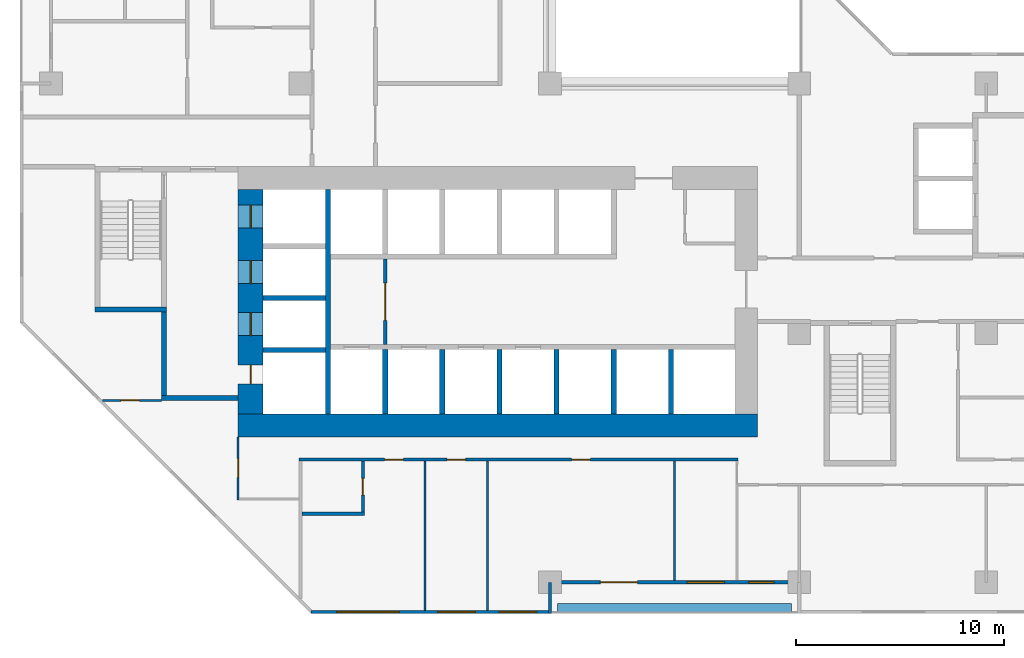
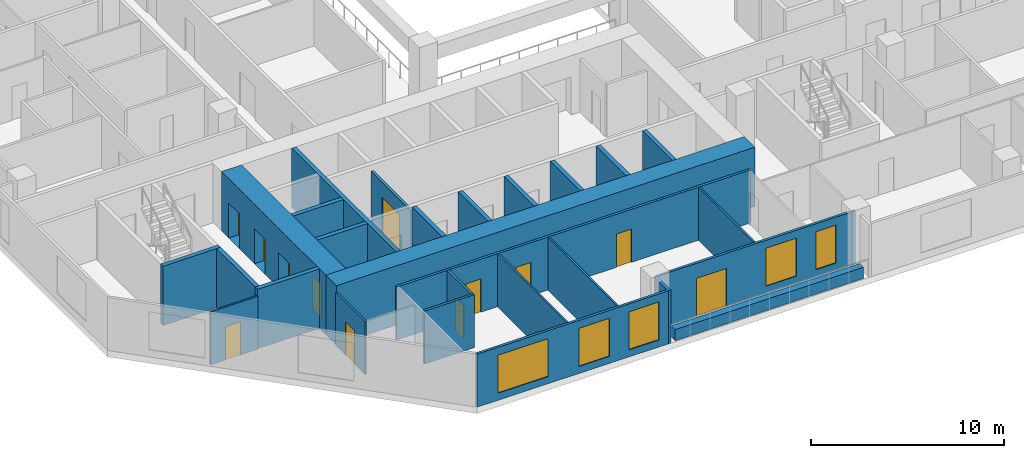
# One storey, part 4 of 15: 27 walls, 12 doors, 5 windows, 17 openings.
"""IFC4 building model written with IfcOpenShell, lengths in metres."""

import ifcopenshell
import ifcopenshell.guid

model = None  # the IFC model being written
_history = None  # IfcOwnerHistory: only IFC2X3 demands one
_inside = {}  # id of a spatial element -> (the spatial element, [elements in it])
_under = {}  # id of a project, library or spatial element -> (it, [spatial elements below it])
_declared = {}  # id of a project -> (the project, [libraries it declares])
_typed = {}  # id of a type object -> (the type object, [elements of that type])
_made_of = {}  # id of a material, layer set ... -> (it, [elements and type objects made of it])


def new_model(schema):
    """Start an empty IFC model of exactly this schema.

    Asked for "IFC4X3", IfcOpenShell would pick the latest addendum, in which some entities
    have other attributes; the version numbers below select the first issue.
    IFC2X3 requires an IfcOwnerHistory on every rooted entity: one is made here for all.
    """
    global model, _history
    if schema == "IFC4X3":
        model = ifcopenshell.file(schema_version=(4, 3, 0, 0))
    else:
        model = ifcopenshell.file(schema=schema)
    _inside.clear()
    _under.clear()
    _declared.clear()
    _typed.clear()
    _made_of.clear()
    _history = None
    if model.schema == "IFC2X3":
        org = make("IfcOrganization", Name="unknown")
        user = make(
            "IfcPersonAndOrganization",
            ThePerson=make("IfcPerson", FamilyName="unknown"),
            TheOrganization=org,
        )
        app = make(
            "IfcApplication",
            ApplicationDeveloper=org,
            Version="unknown",
            ApplicationFullName="unknown",
            ApplicationIdentifier="unknown",
        )
        _history = make(
            "IfcOwnerHistory",
            OwningUser=user,
            OwningApplication=app,
            ChangeAction="ADDED",
            CreationDate=0,
        )
    return model


def make(cls, **values):
    """One entity of the class cls with the attributes given. An attribute that is None is left unset."""
    return model.create_entity(
        cls, **{name: value for name, value in values.items() if value is not None}
    )


def rooted(cls, **values):
    """An entity with a GlobalId (a new one), such as an element, a storey or a relation."""
    return make(cls, GlobalId=ifcopenshell.guid.new(), OwnerHistory=_history, **values)


def si_unit(unit_type, name, prefix=None):
    """IfcSIUnit, for example si_unit("LENGTHUNIT", "METRE", prefix="MILLI")."""
    return make("IfcSIUnit", UnitType=unit_type, Prefix=prefix, Name=name)


def assignment(units):
    """IfcUnitAssignment: the units of a project."""
    return None if units is None else make("IfcUnitAssignment", Units=units)


def point(xyz):
    """IfcCartesianPoint."""
    return None if xyz is None else make("IfcCartesianPoint", Coordinates=xyz)


def direction(xyz):
    """IfcDirection."""
    return None if xyz is None else make("IfcDirection", DirectionRatios=xyz)


def frame(location, z_axis=None, x_axis=None):
    """IfcAxis2Placement3D, a coordinate frame: its origin and axes. An axis left out is left unset."""
    return make(
        "IfcAxis2Placement3D",
        Location=point(location),
        Axis=direction(z_axis),
        RefDirection=direction(x_axis),
    )


def frame_2d(location, x_axis=None):
    """IfcAxis2Placement2D, a coordinate frame in the plane: its origin and x axis."""
    return make(
        "IfcAxis2Placement2D", Location=point(location), RefDirection=direction(x_axis)
    )


def origin():
    """The frame at (0, 0, 0) with its axes left unset."""
    return frame((0.0, 0.0, 0.0))


def place(relative_to, where):
    """IfcLocalPlacement: puts the frame where relative to a parent placement (None: the world)."""
    return make(
        "IfcLocalPlacement", PlacementRelTo=relative_to, RelativePlacement=where
    )


def context(
    kind, dimensions, precision=None, world=None, true_north=None, identifier=None
):
    """IfcGeometricRepresentationContext, for example the 3D "Model" context."""
    return make(
        "IfcGeometricRepresentationContext",
        ContextIdentifier=identifier,
        ContextType=kind,
        CoordinateSpaceDimension=dimensions,
        Precision=precision,
        WorldCoordinateSystem=world,
        TrueNorth=true_north,
    )


def subcontext(parent, identifier, kind, view, scale=None):
    """IfcGeometricRepresentationSubContext, for example "Body" below "Model"."""
    return make(
        "IfcGeometricRepresentationSubContext",
        ContextIdentifier=identifier,
        ContextType=kind,
        ParentContext=parent,
        TargetScale=scale,
        TargetView=view,
    )


def project(units=None, contexts=None):
    """IfcProject with its units and contexts."""
    return rooted(
        "IfcProject",
        Name="project",
        RepresentationContexts=contexts,
        UnitsInContext=assignment(units),
    )


def spatial(cls, under=None, at=None, **own):
    """A site, building, storey or space (cls), placed at a placement, below another one or the project."""
    s = rooted(cls, ObjectPlacement=at, **own)
    if under is not None:
        _under.setdefault(under.id(), (under, []))[1].append(s)
    return s


def profile(cls, at=None, kind="AREA", **sizes):
    """A parametric profile (cls). Its sizes go by their IFC names, for example OverallWidth=200.0."""
    return make(cls, ProfileType=kind, Position=at, **sizes)


def rectangle(**sizes):
    """IfcRectangleProfileDef."""
    return profile("IfcRectangleProfileDef", **sizes)


def extrude(swept, where, along, depth):
    """IfcExtrudedAreaSolid: the profile swept, set in the frame where, extruded along a direction by depth."""
    return make(
        "IfcExtrudedAreaSolid",
        SweptArea=swept,
        Position=where,
        ExtrudedDirection=direction(along),
        Depth=depth,
    )


def shape(context_of_items, identifier, shape_type, items):
    """IfcShapeRepresentation: the items that make up one representation, for example the "Body"."""
    return make(
        "IfcShapeRepresentation",
        ContextOfItems=context_of_items,
        RepresentationIdentifier=identifier,
        RepresentationType=shape_type,
        Items=items,
    )


def material(Name=None, Category=None):
    """IfcMaterial."""
    return make("IfcMaterial", Name=Name, Category=Category)


def layer(
    of_material, thickness, ventilated=None, Name=None, Category=None, Priority=None
):
    """IfcMaterialLayer: one layer of a wall or slab, of a material (None: an air gap)."""
    return make(
        "IfcMaterialLayer",
        Material=of_material,
        LayerThickness=thickness,
        IsVentilated=ventilated,
        Name=Name,
        Category=Category,
        Priority=Priority,
    )


def layer_set(layers, Name=None):
    """IfcMaterialLayerSet."""
    return make("IfcMaterialLayerSet", MaterialLayers=layers, LayerSetName=Name)


def made_of(thing, what):
    """Note that an element or type object is made of a material, layer set ...; save() writes the relation."""
    if what is not None:
        _made_of.setdefault(what.id(), (what, []))[1].append(thing)
    return thing


def type_object(cls, material=None, **own):
    """A type object (cls), such as IfcWallType, which elements share."""
    return made_of(rooted(cls, **own), material)


def element(
    cls,
    number,
    at=None,
    inside=None,
    cuts=None,
    type_object=None,
    material=None,
    context=None,
    identifier="Body",
    shape_type=None,
    held_by="IfcProductDefinitionShape",
    body=None,
    shapes=None,
    **own,
):
    """One element of the class cls, such as IfcWall. Its Tag is "e" and its number.

    at: its placement. inside: the storey or other place that contains it. cuts: it is an
    opening in that element (IfcRelVoidsElement). A single representation is given by context,
    identifier, shape_type and body (its items); several are given by shapes. held_by: the class
    of the entity that holds the representations. save() writes the other relations.
    """
    e = rooted(cls, Tag="e%d" % number, ObjectPlacement=at, **own)
    if body is not None:
        shapes = [shape(context, identifier, shape_type, body)]
    if shapes is not None:
        e.Representation = make(held_by, Representations=shapes)
    if inside is not None:
        _inside.setdefault(inside.id(), (inside, []))[1].append(e)
    if cuts is not None:
        rooted(
            "IfcRelVoidsElement", RelatingBuildingElement=cuts, RelatedOpeningElement=e
        )
    if type_object is not None:
        _typed.setdefault(type_object.id(), (type_object, []))[1].append(e)
    return made_of(e, material)


def fill(opening, filler):
    """IfcRelFillsElement: the door or window that sits in an opening."""
    return rooted(
        "IfcRelFillsElement",
        RelatingOpeningElement=opening,
        RelatedBuildingElement=filler,
    )


def aggregate(whole, parts):
    """IfcRelAggregates: a whole, such as a stair, and the parts it consists of."""
    return rooted("IfcRelAggregates", RelatingObject=whole, RelatedObjects=parts)


def save(model, path):
    """Write the relations noted so far, then the file.

    IfcRelAggregates (storeys below a building ...), IfcRelContainedInSpatialStructure (elements
    in a storey), IfcRelDefinesByType, IfcRelAssociatesMaterial and IfcRelDeclares: one each for
    every whole, place, type object, material and project.
    """
    for whole, parts in _under.values():
        aggregate(whole, parts)
    for where, things in _inside.values():
        rooted(
            "IfcRelContainedInSpatialStructure",
            RelatedElements=things,
            RelatingStructure=where,
        )
    for kind, things in _typed.values():
        rooted("IfcRelDefinesByType", RelatedObjects=things, RelatingType=kind)
    for what, things in _made_of.values():
        rooted("IfcRelAssociatesMaterial", RelatedObjects=things, RelatingMaterial=what)
    for by, libraries in _declared.values():
        rooted("IfcRelDeclares", RelatingContext=by, RelatedDefinitions=libraries)
    model.write(path)


model = new_model("IFC4")

# Units and contexts
model_context = context("Model", 3, precision=1e-05, world=origin(), true_north=direction((0.0, 1.0)))
body_context = subcontext(model_context, "Body", "Model", "MODEL_VIEW")
ifc_project = project(units=[si_unit("LENGTHUNIT", "METRE"), si_unit("AREAUNIT", "SQUARE_METRE"), si_unit("VOLUMEUNIT", "CUBIC_METRE"), si_unit("PLANEANGLEUNIT", "RADIAN"), si_unit("MASSUNIT", "GRAM", prefix="KILO")], contexts=[model_context])

# Site, building, storey
site_placement = place(None, origin())
site = spatial("IfcSite", under=ifc_project, at=site_placement, CompositionType="ELEMENT")
building_placement = place(site_placement, origin())
building = spatial("IfcBuilding", under=site, at=building_placement, Name="Chenar Terraces", CompositionType="ELEMENT")
storey_placement = place(building_placement, frame((0.0, 0.0, 52.64990234375)))
storey = spatial("IfcBuildingStorey", under=building, at=storey_placement, Name="L10", CompositionType="ELEMENT", Elevation=52.64990234375)

# Wall, opening, door
ifc_material_1 = material(Name="Gypsum board on steel studs", Category="steel")
ifc_layer_1 = layer(ifc_material_1, 0.14990234375)
ifc_layer_set_1 = layer_set([ifc_layer_1], Name="Gypsum board on steel studs")
wall_type_1 = type_object("IfcWallType", Name="Core partition 150 gypsum board", PredefinedType="PARTITIONING", material=ifc_layer_set_1)
wall_1_placement = place(storey_placement, frame((16.074951171875, 11.449951171875, 0.0), z_axis=(0.0, 0.0, 1.0), x_axis=(0.0, 1.0, 0.0)))
wall_1 = element("IfcWall", 1, at=wall_1_placement, inside=storey, type_object=wall_type_1, Name="Core partition CP1 lift lobby smoke stop", PredefinedType="PARTITIONING", context=body_context, shape_type="SweptSolid", body=[
    extrude(rectangle(XDim=4.10009765625, YDim=0.14990234375, at=frame_2d((2.050048828125, 0.0))), origin(), (0.0, 0.0, 1.0), 3.35009765625),
])
opening_1_placement = place(wall_1_placement, frame((1.14990234375, 0.0, 0.0)))
opening_1 = element("IfcOpeningElement", 2, at=opening_1_placement, cuts=wall_1, Name="Opening DL10-C12", PredefinedType="OPENING", context=body_context, shape_type="SweptSolid", body=[
    extrude(rectangle(XDim=1.800048828125, YDim=2.39990234375, at=frame_2d((0.89990234375, 1.199951171875))), frame((0.0, 0.0849609375, 0.0), z_axis=(0.0, -1.0, 0.0), x_axis=(1.0, 0.0, 0.0)), (0.0, 0.0, 1.0), 0.169921875),
])
ifc_material_2 = material(Name="Steel-framed fire-resisting door leaf", Category="steel")
door_type_1 = type_object("IfcDoorType", Name="Core entrance double fire door FD60 1800 x 2400", OperationType="DOUBLE_DOOR_SINGLE_SWING", PredefinedType="DOOR", material=ifc_material_2)
door_1_placement = place(opening_1_placement, origin())
door_1 = element("IfcDoor", 3, at=door_1_placement, inside=storey, type_object=door_type_1, Name="Core door DL10-C12", OperationType="DOUBLE_DOOR_SINGLE_SWING", OverallHeight=2.39990234375, OverallWidth=1.800048828125, PredefinedType="DOOR", context=body_context, shape_type="SweptSolid", body=[
    extrude(rectangle(XDim=1.800048828125, YDim=2.39990234375, at=frame_2d((0.89990234375, 1.199951171875))), frame((0.0, 0.02490234375, 0.0), z_axis=(0.0, -1.0, 0.0), x_axis=(1.0, 0.0, 0.0)), (0.0, 0.0, 1.0), 0.050048828125),
])
fill(opening_1, door_1)

# Wall
ifc_material_3 = material(Name="Concrete C70/85", Category="concrete")
ifc_layer_2 = layer(ifc_material_3, 1.10009765625)
ifc_layer_set_2 = layer_set([ifc_layer_2], Name="Concrete C70/85")
wall_type_2 = type_object("IfcWallType", Name="Core wall 1100 Concrete C70/85", PredefinedType="SHEAR", material=ifc_layer_set_2)
wall_2_placement = place(storey_placement, frame((9.0, 7.550048828125, 0.0), z_axis=(0.0, 0.0, 1.0), x_axis=(1.0, 0.0, 0.0)))
element("IfcWall", 4, at=wall_2_placement, inside=storey, type_object=wall_type_2, Name="Core wall S L10", PredefinedType="SHEAR", context=body_context, shape_type="SweptSolid", body=[
    extrude(rectangle(XDim=25.0, YDim=1.10009765625, at=frame_2d((12.5, 0.0))), origin(), (0.0, 0.0, 1.0), 3.75),
])

# Wall, openings, doors
ifc_material_4 = material(Name="Concrete C70/85", Category="concrete")
ifc_layer_3 = layer(ifc_material_4, 1.199951171875)
ifc_layer_set_3 = layer_set([ifc_layer_3], Name="Concrete C70/85")
wall_type_3 = type_object("IfcWallType", Name="Core wall 1200 Concrete C70/85", PredefinedType="SHEAR", material=ifc_layer_set_3)
wall_3_placement = place(storey_placement, frame((9.60009765625, 8.10009765625, 0.0), z_axis=(0.0, 0.0, 1.0), x_axis=(0.0, 1.0, 0.0)))
wall_3 = element("IfcWall", 5, at=wall_3_placement, inside=storey, type_object=wall_type_3, Name="Core wall W L10", PredefinedType="SHEAR", context=body_context, shape_type="SweptSolid", body=[
    extrude(rectangle(XDim=10.7998046875, YDim=1.199951171875, at=frame_2d((5.39990234375, 0.0))), origin(), (0.0, 0.0, 1.0), 3.75),
])
opening_2_placement = place(wall_3_placement, frame((3.77490234375, 0.0, 0.0)))
opening_2 = element("IfcOpeningElement", 6, at=opening_2_placement, cuts=wall_3, Name="Opening DL10-LD5", PredefinedType="OPENING", context=body_context, shape_type="SweptSolid", body=[
    extrude(rectangle(XDim=1.10009765625, YDim=2.199951171875, at=frame_2d((0.550048828125, 1.10009765625))), frame((0.0, 0.60986328125, 0.0), z_axis=(0.0, -1.0, 0.0), x_axis=(1.0, 0.0, 0.0)), (0.0, 0.0, 1.0), 1.219970703125),
])
opening_3_placement = place(wall_3_placement, frame((6.27490234375, 0.0, 0.0)))
opening_3 = element("IfcOpeningElement", 7, at=opening_3_placement, cuts=wall_3, Name="Opening DL10-LD6", PredefinedType="OPENING", context=body_context, shape_type="SweptSolid", body=[
    extrude(rectangle(XDim=1.10009765625, YDim=2.199951171875, at=frame_2d((0.550048828125, 1.10009765625))), frame((0.0, 0.60986328125, 0.0), z_axis=(0.0, -1.0, 0.0), x_axis=(1.0, 0.0, 0.0)), (0.0, 0.0, 1.0), 1.219970703125),
])
opening_4_placement = place(wall_3_placement, frame((8.949951171875, 0.0, 0.0)))
opening_4 = element("IfcOpeningElement", 8, at=opening_4_placement, cuts=wall_3, Name="Opening DL10-LD7", PredefinedType="OPENING", context=body_context, shape_type="SweptSolid", body=[
    extrude(rectangle(XDim=1.10009765625, YDim=2.199951171875, at=frame_2d((0.550048828125, 1.10009765625))), frame((0.0, 0.60986328125, 0.0), z_axis=(0.0, -1.0, 0.0), x_axis=(1.0, 0.0, 0.0)), (0.0, 0.0, 1.0), 1.219970703125),
])
opening_5_placement = place(wall_3_placement, frame((1.449951171875, 0.0, 0.0)))
opening_5 = element("IfcOpeningElement", 9, at=opening_5_placement, cuts=wall_3, Name="Opening DL10-C4", PredefinedType="OPENING", context=body_context, shape_type="SweptSolid", body=[
    extrude(rectangle(XDim=0.89990234375, YDim=2.10009765625, at=frame_2d((0.449951171875, 1.050048828125))), frame((0.0, 0.60986328125, 0.0), z_axis=(0.0, -1.0, 0.0), x_axis=(1.0, 0.0, 0.0)), (0.0, 0.0, 1.0), 1.219970703125),
])
ifc_material_5 = material(Name="Stainless steel", Category="steel")
door_type_2 = type_object("IfcDoorType", Name="Lift landing door 1100 x 2200 sliding", OperationType="DOUBLE_DOOR_SLIDING", PredefinedType="DOOR", material=ifc_material_5)
door_2_placement = place(opening_2_placement, origin())
door_2 = element("IfcDoor", 10, at=door_2_placement, inside=storey, type_object=door_type_2, Name="Landing door S1", OperationType="DOUBLE_DOOR_SLIDING", OverallHeight=2.199951171875, OverallWidth=1.10009765625, PredefinedType="DOOR", context=body_context, shape_type="SweptSolid", body=[
    extrude(rectangle(XDim=1.10009765625, YDim=2.199951171875, at=frame_2d((0.550048828125, 1.10009765625))), frame((0.0, 0.02490234375, 0.0), z_axis=(0.0, -1.0, 0.0), x_axis=(1.0, 0.0, 0.0)), (0.0, 0.0, 1.0), 0.050048828125),
])
fill(opening_2, door_2)
door_3_placement = place(opening_3_placement, origin())
door_3 = element("IfcDoor", 11, at=door_3_placement, inside=storey, type_object=door_type_2, Name="Landing door F1", OperationType="DOUBLE_DOOR_SLIDING", OverallHeight=2.199951171875, OverallWidth=1.10009765625, PredefinedType="DOOR", context=body_context, shape_type="SweptSolid", body=[
    extrude(rectangle(XDim=1.10009765625, YDim=2.199951171875, at=frame_2d((0.550048828125, 1.10009765625))), frame((0.0, 0.02490234375, 0.0), z_axis=(0.0, -1.0, 0.0), x_axis=(1.0, 0.0, 0.0)), (0.0, 0.0, 1.0), 0.050048828125),
])
fill(opening_3, door_3)
door_4_placement = place(opening_4_placement, origin())
door_4 = element("IfcDoor", 12, at=door_4_placement, inside=storey, type_object=door_type_2, Name="Landing door F2", OperationType="DOUBLE_DOOR_SLIDING", OverallHeight=2.199951171875, OverallWidth=1.10009765625, PredefinedType="DOOR", context=body_context, shape_type="SweptSolid", body=[
    extrude(rectangle(XDim=1.10009765625, YDim=2.199951171875, at=frame_2d((0.550048828125, 1.10009765625))), frame((0.0, 0.02490234375, 0.0), z_axis=(0.0, -1.0, 0.0), x_axis=(1.0, 0.0, 0.0)), (0.0, 0.0, 1.0), 0.050048828125),
])
fill(opening_4, door_4)
ifc_material_6 = material(Name="Steel-framed fire-resisting door leaf", Category="steel")
door_type_3 = type_object("IfcDoorType", Name="Riser fire door FD60 900 x 2100", OperationType="SINGLE_SWING_LEFT", PredefinedType="DOOR", material=ifc_material_6)
door_5_placement = place(opening_5_placement, frame((0.89990234375, 0.0, 0.0), z_axis=(0.0, 0.0, 1.0), x_axis=(-1.0, 0.0, 0.0)))
door_5 = element("IfcDoor", 13, at=door_5_placement, inside=storey, type_object=door_type_3, Name="Riser door DL10-C4", OperationType="SINGLE_SWING_RIGHT", OverallHeight=2.10009765625, OverallWidth=0.89990234375, PredefinedType="DOOR", context=body_context, shape_type="SweptSolid", body=[
    extrude(rectangle(XDim=0.89990234375, YDim=2.10009765625, at=frame_2d((0.449951171875, 1.050048828125))), frame((0.0, 0.02490234375, 0.0), z_axis=(0.0, -1.0, 0.0), x_axis=(1.0, 0.0, 0.0)), (0.0, 0.0, 1.0), 0.050048828125),
])
fill(opening_5, door_5)

# Walls
ifc_material_7 = material(Name="Concrete C70/85", Category="concrete")
ifc_layer_4 = layer(ifc_material_7, 0.25)
ifc_layer_set_4 = layer_set([ifc_layer_4], Name="Concrete C70/85")
wall_type_4 = type_object("IfcWallType", Name="Core wall 250 Concrete C70/85", PredefinedType="SHEAR", material=ifc_layer_set_4)
wall_4_placement = place(storey_placement, frame((13.324951171875, 8.10009765625, 0.0), z_axis=(0.0, 0.0, 1.0), x_axis=(0.0, 1.0, 0.0)))
element("IfcWall", 14, at=wall_4_placement, inside=storey, type_object=wall_type_4, Name="Core wall WI L10", PredefinedType="SHEAR", context=body_context, shape_type="SweptSolid", body=[
    extrude(rectangle(XDim=10.7998046875, YDim=0.25, at=frame_2d((5.39990234375, 0.0))), origin(), (0.0, 0.0, 1.0), 3.75),
])
for number, where, z_axis, x_axis, name in (
    (15, (10.199951171875, 11.175048828125, 0.0), (0.0, 0.0, 1.0), (1.0, 0.0, 0.0), "Core wall HW0 L10"),
    (16, (10.199951171875, 13.675048828125, 0.0), (0.0, 0.0, 1.0), (1.0, 0.0, 0.0), "Core wall HW1 L10"),
):
    element("IfcWall", number, at=place(storey_placement, frame(where, z_axis=z_axis, x_axis=x_axis)), inside=storey, type_object=wall_type_4, Name=name, PredefinedType="SHEAR", context=body_context, shape_type="SweptSolid", body=[
        extrude(rectangle(XDim=3.0, YDim=0.25, at=frame_2d((1.5, 0.0))), origin(), (0.0, 0.0, 1.0), 3.75),
    ])
for number, where, z_axis, x_axis, name in (
    (17, (16.074951171875, 8.10009765625, 0.0), (0.0, 0.0, 1.0), (0.0, 1.0, 0.0), "Core wall SS0 L10"),
    (18, (18.824951171875, 8.10009765625, 0.0), (0.0, 0.0, 1.0), (0.0, 1.0, 0.0), "Core wall SS1 L10"),
    (19, (21.574951171875, 8.10009765625, 0.0), (0.0, 0.0, 1.0), (0.0, 1.0, 0.0), "Core wall SS2 L10"),
    (20, (24.324951171875, 8.10009765625, 0.0), (0.0, 0.0, 1.0), (0.0, 1.0, 0.0), "Core wall SS3 L10"),
    (21, (27.074951171875, 8.10009765625, 0.0), (0.0, 0.0, 1.0), (0.0, 1.0, 0.0), "Core wall SS4 L10"),
    (22, (29.824951171875, 8.10009765625, 0.0), (0.0, 0.0, 1.0), (0.0, 1.0, 0.0), "Core wall SS5 L10"),
):
    element("IfcWall", number, at=place(storey_placement, frame(where, z_axis=z_axis, x_axis=x_axis)), inside=storey, type_object=wall_type_4, Name=name, PredefinedType="SHEAR", context=body_context, shape_type="SweptSolid", body=[
        extrude(rectangle(XDim=3.099853515625, YDim=0.25, at=frame_2d((1.5498046875, 0.0))), origin(), (0.0, 0.0, 1.0), 3.75),
    ])
wall_5_placement = place(storey_placement, frame((2.10009765625, 13.125, 0.0), z_axis=(0.0, 0.0, 1.0), x_axis=(1.0, 0.0, 0.0)))
element("IfcWall", 23, at=wall_5_placement, inside=storey, type_object=wall_type_4, Name="Core wall ST1_S L10", PredefinedType="SHEAR", context=body_context, shape_type="SweptSolid", body=[
    extrude(rectangle(XDim=3.449951171875, YDim=0.25, at=frame_2d((1.72509765625, 0.0))), origin(), (0.0, 0.0, 1.0), 3.75),
])
wall_6_placement = place(storey_placement, frame((5.300048828125, 8.875, 0.0), z_axis=(0.0, 0.0, 1.0), x_axis=(1.0, 0.0, 0.0)))
element("IfcWall", 24, at=wall_6_placement, inside=storey, type_object=wall_type_4, Name="Core wall FFL_S L10", PredefinedType="SHEAR", context=body_context, shape_type="SweptSolid", body=[
    extrude(rectangle(XDim=3.699951171875, YDim=0.25, at=frame_2d((1.85009765625, 0.0))), origin(), (0.0, 0.0, 1.0), 3.75),
])
wall_7_placement = place(storey_placement, frame((5.425048828125, 9.0, 0.0), z_axis=(0.0, 0.0, 1.0), x_axis=(0.0, 1.0, 0.0)))
element("IfcWall", 25, at=wall_7_placement, inside=storey, type_object=wall_type_4, Name="Core wall FFL_W L10", PredefinedType="SHEAR", context=body_context, shape_type="SweptSolid", body=[
    extrude(rectangle(XDim=4.0, YDim=0.25, at=frame_2d((2.0, 0.0))), origin(), (0.0, 0.0, 1.0), 3.75),
])

# Wall, openings, windows
ifc_material_8 = material(Name="Aluminium framed glazing", Category="aluminium")
ifc_layer_5 = layer(ifc_material_8, 0.14990234375)
ifc_layer_set_5 = layer_set([ifc_layer_5], Name="Aluminium framed glazing")
wall_type_5 = type_object("IfcWallType", Name="Glazed flush facade wall 150", PredefinedType="SOLIDWALL", material=ifc_layer_set_5)
wall_8_placement = place(storey_placement, frame((12.5, -1.425048828125, 0.0), z_axis=(0.0, 0.0, 1.0), x_axis=(1.0, 0.0, 0.0)))
wall_8 = element("IfcWall", 26, at=wall_8_placement, inside=storey, type_object=wall_type_5, Name="Glazed flush facade wall", PredefinedType="SOLIDWALL", context=body_context, shape_type="SweptSolid", body=[
    extrude(rectangle(XDim=11.425048828125, YDim=0.14990234375, at=frame_2d((5.71240234375, 0.0))), origin(), (0.0, 0.0, 1.0), 3.35009765625),
])
opening_6_placement = place(wall_8_placement, frame((1.25, 0.0, 0.449951171875)))
opening_6 = element("IfcOpeningElement", 27, at=opening_6_placement, cuts=wall_8, Name="Opening W300x240", PredefinedType="OPENING", context=body_context, shape_type="SweptSolid", body=[
    extrude(rectangle(XDim=3.0, YDim=2.39990234375, at=frame_2d((1.5, 1.199951171875))), frame((0.0, 0.0849609375, 0.0), z_axis=(0.0, -1.0, 0.0), x_axis=(1.0, 0.0, 0.0)), (0.0, 0.0, 1.0), 0.169921875),
])
opening_7_placement = place(wall_8_placement, frame((6.10009765625, 0.0, 0.449951171875)))
opening_7 = element("IfcOpeningElement", 28, at=opening_7_placement, cuts=wall_8, Name="Opening W180x240", PredefinedType="OPENING", context=body_context, shape_type="SweptSolid", body=[
    extrude(rectangle(XDim=1.800048828125, YDim=2.39990234375, at=frame_2d((0.89990234375, 1.199951171875))), frame((0.0, 0.0849609375, 0.0), z_axis=(0.0, -1.0, 0.0), x_axis=(1.0, 0.0, 0.0)), (0.0, 0.0, 1.0), 0.169921875),
])
opening_8_placement = place(wall_8_placement, frame((9.0625, 0.0, 0.449951171875)))
opening_8 = element("IfcOpeningElement", 29, at=opening_8_placement, cuts=wall_8, Name="Opening W180x240", PredefinedType="OPENING", context=body_context, shape_type="SweptSolid", body=[
    extrude(rectangle(XDim=1.800048828125, YDim=2.39990234375, at=frame_2d((0.89990234375, 1.199951171875))), frame((0.0, 0.0849609375, 0.0), z_axis=(0.0, -1.0, 0.0), x_axis=(1.0, 0.0, 0.0)), (0.0, 0.0, 1.0), 0.169921875),
])
ifc_material_9 = material(Name="Low emissivity double glazing, aluminium frame", Category="aluminium")
window_type_1 = type_object("IfcWindowType", Name="Fixed light 1800 x 2400", PartitioningType="SINGLE_PANEL", PredefinedType="WINDOW", material=ifc_material_9)
window_1_placement = place(opening_7_placement, origin())
window_1 = element("IfcWindow", 30, at=window_1_placement, inside=storey, type_object=window_type_1, Name="Window", OverallHeight=2.39990234375, OverallWidth=1.800048828125, PartitioningType="SINGLE_PANEL", PredefinedType="WINDOW", context=body_context, shape_type="SweptSolid", body=[
    extrude(rectangle(XDim=1.800048828125, YDim=2.39990234375, at=frame_2d((0.89990234375, 1.199951171875))), frame((0.0, 0.030029296875, 0.0), z_axis=(0.0, -1.0, 0.0), x_axis=(1.0, 0.0, 0.0)), (0.0, 0.0, 1.0), 0.06005859375),
])
fill(opening_7, window_1)
window_2_placement = place(opening_8_placement, origin())
window_2 = element("IfcWindow", 31, at=window_2_placement, inside=storey, type_object=window_type_1, Name="Window", OverallHeight=2.39990234375, OverallWidth=1.800048828125, PartitioningType="SINGLE_PANEL", PredefinedType="WINDOW", context=body_context, shape_type="SweptSolid", body=[
    extrude(rectangle(XDim=1.800048828125, YDim=2.39990234375, at=frame_2d((0.89990234375, 1.199951171875))), frame((0.0, 0.030029296875, 0.0), z_axis=(0.0, -1.0, 0.0), x_axis=(1.0, 0.0, 0.0)), (0.0, 0.0, 1.0), 0.06005859375),
])
fill(opening_8, window_2)
ifc_material_10 = material(Name="Low emissivity double glazing, aluminium frame", Category="aluminium")
window_type_2 = type_object("IfcWindowType", Name="Fixed light 3000 x 2400", PartitioningType="SINGLE_PANEL", PredefinedType="WINDOW", material=ifc_material_10)
window_3_placement = place(opening_6_placement, origin())
window_3 = element("IfcWindow", 32, at=window_3_placement, inside=storey, type_object=window_type_2, Name="Window", OverallHeight=2.39990234375, OverallWidth=3.0, PartitioningType="SINGLE_PANEL", PredefinedType="WINDOW", context=body_context, shape_type="SweptSolid", body=[
    extrude(rectangle(XDim=3.0, YDim=2.39990234375, at=frame_2d((1.5, 1.199951171875))), frame((0.0, 0.030029296875, 0.0), z_axis=(0.0, -1.0, 0.0), x_axis=(1.0, 0.0, 0.0)), (0.0, 0.0, 1.0), 0.06005859375),
])
fill(opening_6, window_3)

# Wall, openings, windows, door
ifc_material_11 = material(Name="Aluminium framed glazing", Category="aluminium")
ifc_layer_6 = layer(ifc_material_11, 0.14990234375)
ifc_layer_set_6 = layer_set([ifc_layer_6], Name="Aluminium framed glazing")
wall_type_6 = type_object("IfcWallType", Name="Glazed loggia back wall 150", PredefinedType="SOLIDWALL", material=ifc_layer_set_6)
wall_9_placement = place(storey_placement, frame((24.074951171875, 0.0, 0.0), z_axis=(0.0, 0.0, 1.0), x_axis=(1.0, 0.0, 0.0)))
wall_9 = element("IfcWall", 33, at=wall_9_placement, inside=storey, type_object=wall_type_6, Name="Glazed loggia back wall", PredefinedType="SOLIDWALL", context=body_context, shape_type="SweptSolid", body=[
    extrude(rectangle(XDim=11.85009765625, YDim=0.14990234375, at=frame_2d((5.925048828125, 0.0))), origin(), (0.0, 0.0, 1.0), 3.35009765625),
])
opening_9_placement = place(wall_9_placement, frame((2.35009765625, 0.0, 0.0)))
opening_9 = element("IfcOpeningElement", 34, at=opening_9_placement, cuts=wall_9, Name="Opening DL10-G5", PredefinedType="OPENING", context=body_context, shape_type="SweptSolid", body=[
    extrude(rectangle(XDim=1.800048828125, YDim=2.39990234375, at=frame_2d((0.89990234375, 1.199951171875))), frame((0.0, 0.0849609375, 0.0), z_axis=(0.0, -1.0, 0.0), x_axis=(1.0, 0.0, 0.0)), (0.0, 0.0, 1.0), 0.169921875),
])
opening_10_placement = place(wall_9_placement, frame((6.52490234375, 0.0, 0.449951171875)))
opening_10 = element("IfcOpeningElement", 35, at=opening_10_placement, cuts=wall_9, Name="Opening W180x240", PredefinedType="OPENING", context=body_context, shape_type="SweptSolid", body=[
    extrude(rectangle(XDim=1.800048828125, YDim=2.39990234375, at=frame_2d((0.89990234375, 1.199951171875))), frame((0.0, 0.0849609375, 0.0), z_axis=(0.0, -1.0, 0.0), x_axis=(1.0, 0.0, 0.0)), (0.0, 0.0, 1.0), 0.169921875),
])
opening_11_placement = place(wall_9_placement, frame((9.5, 0.0, 0.449951171875)))
opening_11 = element("IfcOpeningElement", 36, at=opening_11_placement, cuts=wall_9, Name="Opening W120x240", PredefinedType="OPENING", context=body_context, shape_type="SweptSolid", body=[
    extrude(rectangle(XDim=1.199951171875, YDim=2.39990234375, at=frame_2d((0.60009765625, 1.199951171875))), frame((0.0, 0.0849609375, 0.0), z_axis=(0.0, -1.0, 0.0), x_axis=(1.0, 0.0, 0.0)), (0.0, 0.0, 1.0), 0.169921875),
])
ifc_material_12 = material(Name="Low emissivity double glazing, aluminium frame", Category="aluminium")
window_type_3 = type_object("IfcWindowType", Name="Fixed light 1200 x 2400", PartitioningType="SINGLE_PANEL", PredefinedType="WINDOW", material=ifc_material_12)
window_4_placement = place(opening_11_placement, origin())
window_4 = element("IfcWindow", 37, at=window_4_placement, inside=storey, type_object=window_type_3, Name="Window", OverallHeight=2.39990234375, OverallWidth=1.199951171875, PartitioningType="SINGLE_PANEL", PredefinedType="WINDOW", context=body_context, shape_type="SweptSolid", body=[
    extrude(rectangle(XDim=1.199951171875, YDim=2.39990234375, at=frame_2d((0.60009765625, 1.199951171875))), frame((0.0, 0.030029296875, 0.0), z_axis=(0.0, -1.0, 0.0), x_axis=(1.0, 0.0, 0.0)), (0.0, 0.0, 1.0), 0.06005859375),
])
fill(opening_11, window_4)
window_5_placement = place(opening_10_placement, origin())
window_5 = element("IfcWindow", 38, at=window_5_placement, inside=storey, type_object=window_type_1, Name="Window", OverallHeight=2.39990234375, OverallWidth=1.800048828125, PartitioningType="SINGLE_PANEL", PredefinedType="WINDOW", context=body_context, shape_type="SweptSolid", body=[
    extrude(rectangle(XDim=1.800048828125, YDim=2.39990234375, at=frame_2d((0.89990234375, 1.199951171875))), frame((0.0, 0.030029296875, 0.0), z_axis=(0.0, -1.0, 0.0), x_axis=(1.0, 0.0, 0.0)), (0.0, 0.0, 1.0), 0.06005859375),
])
fill(opening_10, window_5)
ifc_material_13 = material(Name="Low emissivity double glazing, aluminium frame", Category="aluminium")
door_type_4 = type_object("IfcDoorType", Name="Loggia glazed double door 1800 x 2400", OperationType="DOUBLE_DOOR_SINGLE_SWING", PredefinedType="DOOR", material=ifc_material_13)
door_6_placement = place(opening_9_placement, frame((1.800048828125, 0.0, 0.0), z_axis=(0.0, 0.0, 1.0), x_axis=(-1.0, 0.0, 0.0)))
door_6 = element("IfcDoor", 39, at=door_6_placement, inside=storey, type_object=door_type_4, Name="Loggia glazed door", OperationType="DOUBLE_DOOR_SINGLE_SWING", OverallHeight=2.39990234375, OverallWidth=1.800048828125, PredefinedType="DOOR", context=body_context, shape_type="SweptSolid", body=[
    extrude(rectangle(XDim=1.800048828125, YDim=2.39990234375, at=frame_2d((0.89990234375, 1.199951171875))), frame((0.0, 0.02490234375, 0.0), z_axis=(0.0, -1.0, 0.0), x_axis=(1.0, 0.0, 0.0)), (0.0, 0.0, 1.0), 0.050048828125),
])
fill(opening_9, door_6)

# Wall, opening, door
ifc_material_14 = material(Name="Gypsum board on steel studs", Category="steel")
ifc_layer_7 = layer(ifc_material_14, 0.10009765625)
ifc_layer_set_7 = layer_set([ifc_layer_7], Name="Gypsum board on steel studs")
wall_type_7 = type_object("IfcWallType", Name="Gypsum partition 100", PredefinedType="PARTITIONING", material=ifc_layer_set_7)
wall_10_placement = place(storey_placement, frame((2.4609375, 8.75, 0.0), z_axis=(0.0, 0.0, 1.0), x_axis=(1.0, 0.0, 0.0)))
wall_10 = element("IfcWall", 40, at=wall_10_placement, inside=storey, type_object=wall_type_7, Name="Partition L10-011", PredefinedType="PARTITIONING", context=body_context, shape_type="SweptSolid", body=[
    extrude(rectangle(XDim=2.839111328125, YDim=0.10009765625, at=frame_2d((1.41943359375, 0.0))), origin(), (0.0, 0.0, 1.0), 3.35009765625),
])
opening_12_placement = place(wall_10_placement, frame((0.888916015625, 0.0, 0.0)))
opening_12 = element("IfcOpeningElement", 41, at=opening_12_placement, cuts=wall_10, Name="Opening DL10-59", PredefinedType="OPENING", context=body_context, shape_type="SweptSolid", body=[
    extrude(rectangle(XDim=0.89990234375, YDim=2.10009765625, at=frame_2d((0.449951171875, 1.050048828125))), frame((0.0, 0.06005859375, 0.0), z_axis=(0.0, -1.0, 0.0), x_axis=(1.0, 0.0, 0.0)), (0.0, 0.0, 1.0), 0.1201171875),
])
ifc_material_15 = material(Name="Veneered timber door leaf", Category="wood")
door_type_5 = type_object("IfcDoorType", Name="Door 900 x 2100", OperationType="SINGLE_SWING_LEFT", PredefinedType="DOOR", material=ifc_material_15)
door_7_placement = place(opening_12_placement, frame((0.89990234375, 0.0, 0.0), z_axis=(0.0, 0.0, 1.0), x_axis=(-1.0, 0.0, 0.0)))
door_7 = element("IfcDoor", 42, at=door_7_placement, inside=storey, type_object=door_type_5, Name="Door DL10-59", OperationType="SINGLE_SWING_RIGHT", OverallHeight=2.10009765625, OverallWidth=0.89990234375, PredefinedType="DOOR", context=body_context, shape_type="SweptSolid", body=[
    extrude(rectangle(XDim=0.89990234375, YDim=2.10009765625, at=frame_2d((0.449951171875, 1.050048828125))), frame((0.0, 0.02490234375, 0.0), z_axis=(0.0, -1.0, 0.0), x_axis=(1.0, 0.0, 0.0)), (0.0, 0.0, 1.0), 0.050048828125),
])
fill(opening_12, door_7)

wall_11_placement = place(storey_placement, frame((9.0, 3.949951171875, 0.0), z_axis=(0.0, 0.0, 1.0), x_axis=(0.0, 1.0, 0.0)))
wall_11 = element("IfcWall", 43, at=wall_11_placement, inside=storey, type_object=wall_type_7, Name="Partition L10-036", PredefinedType="PARTITIONING", context=body_context, shape_type="SweptSolid", body=[
    extrude(rectangle(XDim=3.050048828125, YDim=0.10009765625, at=frame_2d((1.52490234375, 0.0))), origin(), (0.0, 0.0, 1.0), 3.35009765625),
])
opening_13_placement = place(wall_11_placement, frame((1.10009765625, 0.0, 0.0)))
opening_13 = element("IfcOpeningElement", 44, at=opening_13_placement, cuts=wall_11, Name="Opening DL10-58", PredefinedType="OPENING", context=body_context, shape_type="SweptSolid", body=[
    extrude(rectangle(XDim=0.89990234375, YDim=2.10009765625, at=frame_2d((0.449951171875, 1.050048828125))), frame((0.0, 0.06005859375, 0.0), z_axis=(0.0, -1.0, 0.0), x_axis=(1.0, 0.0, 0.0)), (0.0, 0.0, 1.0), 0.1201171875),
])
door_8_placement = place(opening_13_placement, origin())
door_8 = element("IfcDoor", 45, at=door_8_placement, inside=storey, type_object=door_type_5, Name="Door DL10-58", OperationType="SINGLE_SWING_LEFT", OverallHeight=2.10009765625, OverallWidth=0.89990234375, PredefinedType="DOOR", context=body_context, shape_type="SweptSolid", body=[
    extrude(rectangle(XDim=0.89990234375, YDim=2.10009765625, at=frame_2d((0.449951171875, 1.050048828125))), frame((0.0, 0.02490234375, 0.0), z_axis=(0.0, -1.0, 0.0), x_axis=(1.0, 0.0, 0.0)), (0.0, 0.0, 1.0), 0.050048828125),
])
fill(opening_13, door_8)

# Walls
wall_12_placement = place(storey_placement, frame((18.0, -1.35107421875, 0.0), z_axis=(0.0, 0.0, 1.0), x_axis=(0.0, 1.0, 0.0)))
element("IfcWall", 46, at=wall_12_placement, inside=storey, type_object=wall_type_7, Name="Partition L10-055", PredefinedType="PARTITIONING", context=body_context, shape_type="SweptSolid", body=[
    extrude(rectangle(XDim=7.176025390625, YDim=0.10009765625, at=frame_2d((3.587890625, 0.0))), origin(), (0.0, 0.0, 1.0), 3.35009765625),
])
wall_13_placement = place(storey_placement, frame((21.0, -1.35009765625, 0.0), z_axis=(0.0, 0.0, 1.0), x_axis=(0.0, 1.0, 0.0)))
element("IfcWall", 47, at=wall_13_placement, inside=storey, type_object=wall_type_7, Name="Partition L10-063", PredefinedType="PARTITIONING", context=body_context, shape_type="SweptSolid", body=[
    extrude(rectangle(XDim=7.175048828125, YDim=0.10009765625, at=frame_2d((3.58740234375, 0.0))), origin(), (0.0, 0.0, 1.0), 3.35009765625),
])
wall_14_placement = place(storey_placement, frame((30.0, 0.073974609375, 0.0), z_axis=(0.0, 0.0, 1.0), x_axis=(0.0, 1.0, 0.0)))
element("IfcWall", 48, at=wall_14_placement, inside=storey, type_object=wall_type_7, Name="Partition L10-065", PredefinedType="PARTITIONING", context=body_context, shape_type="SweptSolid", body=[
    extrude(rectangle(XDim=5.7509765625, YDim=0.10009765625, at=frame_2d((2.87548828125, 0.0))), origin(), (0.0, 0.0, 1.0), 3.35009765625),
])
ifc_material_16 = material(Name="Terracotta cladding on insulated backing", Category="masonry")
ifc_layer_8 = layer(ifc_material_16, 0.14990234375)
ifc_layer_set_8 = layer_set([ifc_layer_8], Name="Terracotta cladding on insulated backing")
wall_type_8 = type_object("IfcWallType", Name="Loggia return wall 150", PredefinedType="SOLIDWALL", material=ifc_layer_set_8)
wall_15_placement = place(storey_placement, frame((24.0, -1.5, 0.0), z_axis=(0.0, 0.0, 1.0), x_axis=(0.0, 1.0, 0.0)))
element("IfcWall", 49, at=wall_15_placement, inside=storey, type_object=wall_type_8, Name="Loggia return wall", PredefinedType="SOLIDWALL", context=body_context, shape_type="SweptSolid", body=[
    extrude(rectangle(XDim=1.5, YDim=0.14990234375, at=frame_2d((0.75, 0.0))), origin(), (0.0, 0.0, 1.0), 3.35009765625),
])
ifc_material_17 = material(Name="GRP planter trough")
ifc_layer_9 = layer(ifc_material_17, 0.39990234375)
ifc_layer_set_9 = layer_set([ifc_layer_9], Name="GRP planter trough")
wall_type_9 = type_object("IfcWallType", Name="Vertical greenery planter 400", PredefinedType="SOLIDWALL", material=ifc_layer_set_9)
wall_16_placement = place(storey_placement, frame((24.375, -1.22900390625, 0.0), z_axis=(0.0, 0.0, 1.0), x_axis=(1.0, 0.0, 0.0)))
element("IfcWall", 50, at=wall_16_placement, inside=storey, type_object=wall_type_9, Name="Vertical greenery planter", PredefinedType="SOLIDWALL", context=body_context, shape_type="SweptSolid", body=[
    extrude(rectangle(XDim=11.25, YDim=0.39990234375, at=frame_2d((5.625, 0.0))), origin(), (0.0, 0.0, 1.0), 0.7001953125),
])

# Wall, openings, doors
ifc_material_18 = material(Name="Moisture-resistant gypsum board on steel studs", Category="steel")
ifc_layer_10 = layer(ifc_material_18, 0.14990234375)
ifc_layer_set_10 = layer_set([ifc_layer_10], Name="Moisture-resistant gypsum board on steel studs")
wall_type_10 = type_object("IfcWallType", Name="Wet-room partition 150", PredefinedType="PARTITIONING", material=ifc_layer_set_10)
wall_17_placement = place(storey_placement, frame((11.925048828125, 5.89990234375, 0.0), z_axis=(0.0, 0.0, 1.0), x_axis=(1.0, 0.0, 0.0)))
wall_17 = element("IfcWall", 51, at=wall_17_placement, inside=storey, type_object=wall_type_10, Name="Partition L10-038", PredefinedType="PARTITIONING", context=body_context, shape_type="SweptSolid", body=[
    extrude(rectangle(XDim=21.125, YDim=0.14990234375, at=frame_2d((10.5625, 0.0))), origin(), (0.0, 0.0, 1.0), 3.35009765625),
])
opening_14_placement = place(wall_17_placement, frame((7.125, 0.0, 0.0)))
opening_14 = element("IfcOpeningElement", 52, at=opening_14_placement, cuts=wall_17, Name="Opening DL10-52", PredefinedType="OPENING", context=body_context, shape_type="SweptSolid", body=[
    extrude(rectangle(XDim=0.89990234375, YDim=2.10009765625, at=frame_2d((0.449951171875, 1.050048828125))), frame((0.0, 0.0849609375, 0.0), z_axis=(0.0, -1.0, 0.0), x_axis=(1.0, 0.0, 0.0)), (0.0, 0.0, 1.0), 0.169921875),
])
opening_15_placement = place(wall_17_placement, frame((4.125, 0.0, 0.0)))
opening_15 = element("IfcOpeningElement", 53, at=opening_15_placement, cuts=wall_17, Name="Opening DL10-60", PredefinedType="OPENING", context=body_context, shape_type="SweptSolid", body=[
    extrude(rectangle(XDim=0.89990234375, YDim=2.10009765625, at=frame_2d((0.449951171875, 1.050048828125))), frame((0.0, 0.0849609375, 0.0), z_axis=(0.0, -1.0, 0.0), x_axis=(1.0, 0.0, 0.0)), (0.0, 0.0, 1.0), 0.169921875),
])
opening_16_placement = place(wall_17_placement, frame((13.125, 0.0, 0.0)))
opening_16 = element("IfcOpeningElement", 54, at=opening_16_placement, cuts=wall_17, Name="Opening DL10-65", PredefinedType="OPENING", context=body_context, shape_type="SweptSolid", body=[
    extrude(rectangle(XDim=0.89990234375, YDim=2.10009765625, at=frame_2d((0.449951171875, 1.050048828125))), frame((0.0, 0.0849609375, 0.0), z_axis=(0.0, -1.0, 0.0), x_axis=(1.0, 0.0, 0.0)), (0.0, 0.0, 1.0), 0.169921875),
])
door_9_placement = place(opening_14_placement, frame((0.89990234375, 0.0, 0.0), z_axis=(0.0, 0.0, 1.0), x_axis=(-1.0, 0.0, 0.0)))
door_9 = element("IfcDoor", 55, at=door_9_placement, inside=storey, type_object=door_type_5, Name="Door DL10-52", OperationType="SINGLE_SWING_RIGHT", OverallHeight=2.10009765625, OverallWidth=0.89990234375, PredefinedType="DOOR", context=body_context, shape_type="SweptSolid", body=[
    extrude(rectangle(XDim=0.89990234375, YDim=2.10009765625, at=frame_2d((0.449951171875, 1.050048828125))), frame((0.0, 0.02490234375, 0.0), z_axis=(0.0, -1.0, 0.0), x_axis=(1.0, 0.0, 0.0)), (0.0, 0.0, 1.0), 0.050048828125),
])
fill(opening_14, door_9)
door_10_placement = place(opening_15_placement, frame((0.89990234375, 0.0, 0.0), z_axis=(0.0, 0.0, 1.0), x_axis=(-1.0, 0.0, 0.0)))
door_10 = element("IfcDoor", 56, at=door_10_placement, inside=storey, type_object=door_type_5, Name="Door DL10-60", OperationType="SINGLE_SWING_RIGHT", OverallHeight=2.10009765625, OverallWidth=0.89990234375, PredefinedType="DOOR", context=body_context, shape_type="SweptSolid", body=[
    extrude(rectangle(XDim=0.89990234375, YDim=2.10009765625, at=frame_2d((0.449951171875, 1.050048828125))), frame((0.0, 0.02490234375, 0.0), z_axis=(0.0, -1.0, 0.0), x_axis=(1.0, 0.0, 0.0)), (0.0, 0.0, 1.0), 0.050048828125),
])
fill(opening_15, door_10)
door_11_placement = place(opening_16_placement, frame((0.89990234375, 0.0, 0.0), z_axis=(0.0, 0.0, 1.0), x_axis=(-1.0, 0.0, 0.0)))
door_11 = element("IfcDoor", 57, at=door_11_placement, inside=storey, type_object=door_type_5, Name="Door DL10-65", OperationType="SINGLE_SWING_RIGHT", OverallHeight=2.10009765625, OverallWidth=0.89990234375, PredefinedType="DOOR", context=body_context, shape_type="SweptSolid", body=[
    extrude(rectangle(XDim=0.89990234375, YDim=2.10009765625, at=frame_2d((0.449951171875, 1.050048828125))), frame((0.0, 0.02490234375, 0.0), z_axis=(0.0, -1.0, 0.0), x_axis=(1.0, 0.0, 0.0)), (0.0, 0.0, 1.0), 0.050048828125),
])
fill(opening_16, door_11)

# Wall
wall_18_placement = place(storey_placement, frame((12.074951171875, 3.300048828125, 0.0), z_axis=(0.0, 0.0, 1.0), x_axis=(1.0, 0.0, 0.0)))
element("IfcWall", 58, at=wall_18_placement, inside=storey, type_object=wall_type_10, Name="Partition L10-040", PredefinedType="PARTITIONING", context=body_context, shape_type="SweptSolid", body=[
    extrude(rectangle(XDim=3.0, YDim=0.14990234375, at=frame_2d((1.5, 0.0))), origin(), (0.0, 0.0, 1.0), 3.35009765625),
])

# Wall, opening, door
wall_19_placement = place(storey_placement, frame((15.0, 3.375, 0.0), z_axis=(0.0, 0.0, 1.0), x_axis=(0.0, 1.0, 0.0)))
wall_19 = element("IfcWall", 59, at=wall_19_placement, inside=storey, type_object=wall_type_10, Name="Partition L10-043", PredefinedType="PARTITIONING", context=body_context, shape_type="SweptSolid", body=[
    extrude(rectangle(XDim=2.449951171875, YDim=0.14990234375, at=frame_2d((1.22509765625, 0.0))), origin(), (0.0, 0.0, 1.0), 3.35009765625),
])
opening_17_placement = place(wall_19_placement, frame((0.824951171875, 0.0, 0.0)))
opening_17 = element("IfcOpeningElement", 60, at=opening_17_placement, cuts=wall_19, Name="Opening DL10-61", PredefinedType="OPENING", context=body_context, shape_type="SweptSolid", body=[
    extrude(rectangle(XDim=0.800048828125, YDim=2.10009765625, at=frame_2d((0.39990234375, 1.050048828125))), frame((0.0, 0.0849609375, 0.0), z_axis=(0.0, -1.0, 0.0), x_axis=(1.0, 0.0, 0.0)), (0.0, 0.0, 1.0), 0.169921875),
])
ifc_material_19 = material(Name="Veneered timber door leaf", Category="wood")
door_type_6 = type_object("IfcDoorType", Name="Door 800 x 2100", OperationType="SINGLE_SWING_LEFT", PredefinedType="DOOR", material=ifc_material_19)
door_12_placement = place(opening_17_placement, origin())
door_12 = element("IfcDoor", 61, at=door_12_placement, inside=storey, type_object=door_type_6, Name="Door DL10-61", OperationType="SINGLE_SWING_RIGHT", OverallHeight=2.10009765625, OverallWidth=0.800048828125, PredefinedType="DOOR", context=body_context, shape_type="SweptSolid", body=[
    extrude(rectangle(XDim=0.800048828125, YDim=2.10009765625, at=frame_2d((0.39990234375, 1.050048828125))), frame((0.0, 0.02490234375, 0.0), z_axis=(0.0, -1.0, 0.0), x_axis=(1.0, 0.0, 0.0)), (0.0, 0.0, 1.0), 0.050048828125),
])
fill(opening_17, door_12)

save(model, "model.ifc")
